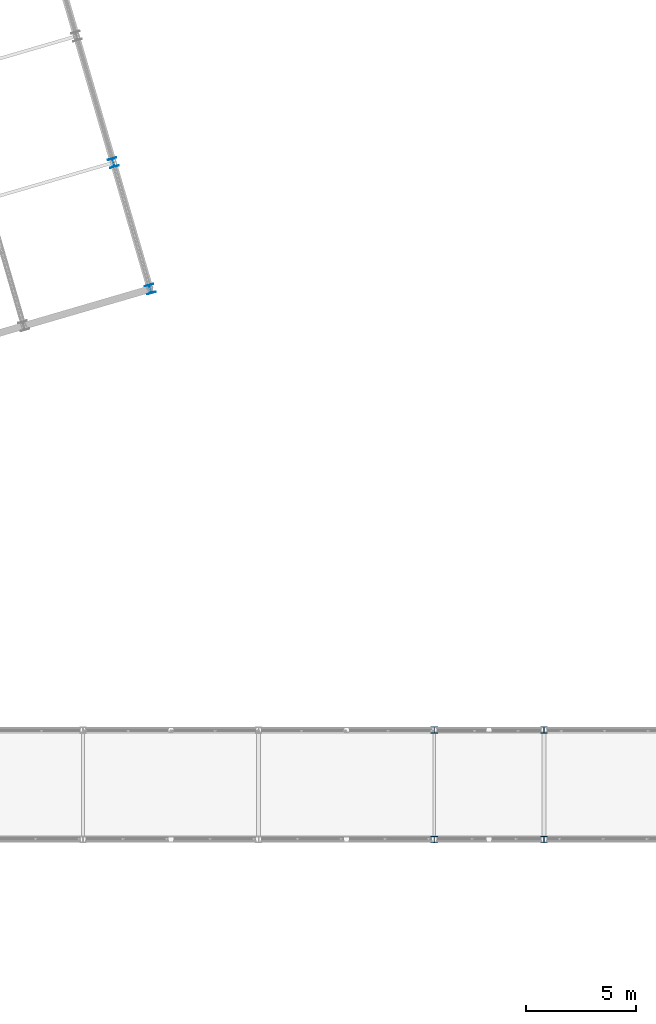
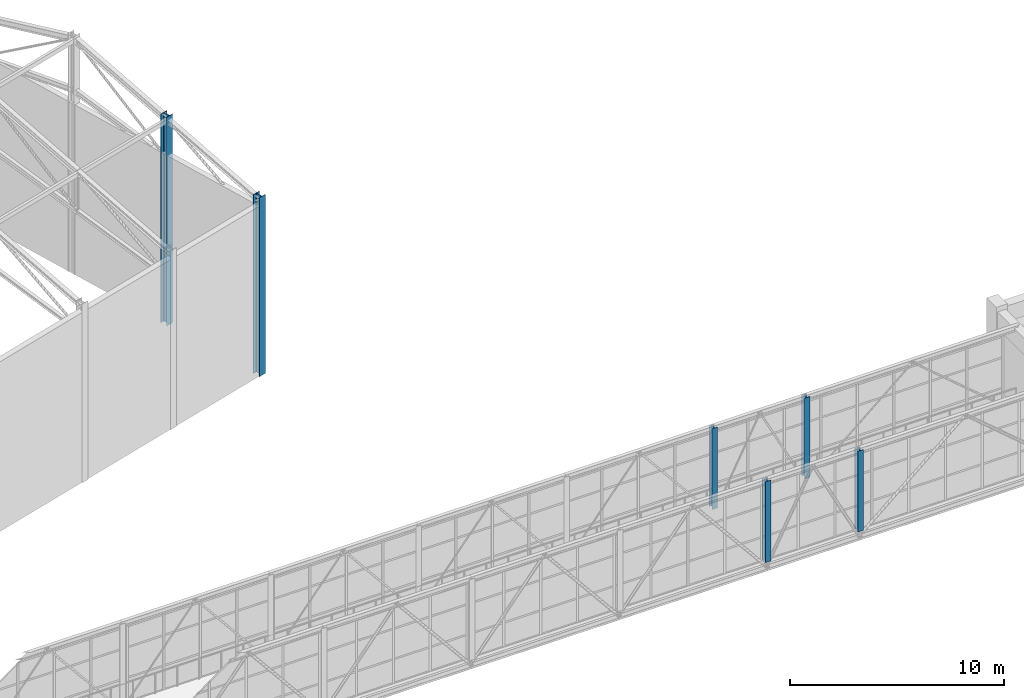
# One storey, part 13 of 248: 6 columns.
"""IFC4 building model written with IfcOpenShell, lengths in metres."""

from ifc_helpers import new_model, si_unit, direction, frame, origin, origin_2d, place, context, subcontext, project, spatial, i_section, extrude, material, material_profile, profile_set, type_object, element, save


model = new_model("IFC4")

# Units and contexts
model_context = context("Model", 3, precision=1e-05, world=origin(), true_north=direction((0.0, 1.0)))
body_context = subcontext(model_context, "Body", "Model", "MODEL_VIEW")
ifc_project = project(units=[si_unit("LENGTHUNIT", "METRE"), si_unit("AREAUNIT", "SQUARE_METRE"), si_unit("VOLUMEUNIT", "CUBIC_METRE"), si_unit("PLANEANGLEUNIT", "RADIAN"), si_unit("MASSUNIT", "GRAM", prefix="KILO")], contexts=[model_context])

# Site, building, storey
site_placement = place(None, origin())
site = spatial("IfcSite", under=ifc_project, at=site_placement, CompositionType="ELEMENT")
building_placement = place(site_placement, origin())
building = spatial("IfcBuilding", under=site, at=building_placement, Name="Canggui Botanical Conservatory", CompositionType="ELEMENT")
storey_placement = place(building_placement, frame((0.0, 0.0, 5.39990234375)))
storey = spatial("IfcBuildingStorey", under=building, at=storey_placement, Name="L02", CompositionType="ELEMENT", Elevation=5.39990234375)

# Columns
ifc_material = material(Name="Steel Q355B", Category="steel")
ifc_material_profile_1 = material_profile(ifc_material, i_section(OverallWidth=0.39990234375, OverallDepth=0.39990234375, WebThickness=0.012939453125, FlangeThickness=0.02099609375, FilletRadius=0.02197265625, at=origin_2d()), Name="HW 400x400x13x21")
ifc_profile_set_1 = profile_set([ifc_material_profile_1], Name="Steel Q355B")
column_type_1 = type_object("IfcColumnType", Name="COL-GZ03", PredefinedType="COLUMN", material=ifc_profile_set_1)
column_1_placement = place(storey_placement, frame((100.56005859375, 100.080078125, 0.0), z_axis=(0.0, 0.0, 1.0), x_axis=(0.960000000041, 0.279999999861, 0.0)))
element("IfcColumn", 1, at=column_1_placement, inside=storey, type_object=column_type_1, Name="Auditorium Upper Column L02-13", PredefinedType="COLUMN", context=body_context, shape_type="SweptSolid", body=[
    extrude(i_section(OverallWidth=0.39990234375, OverallDepth=0.39990234375, WebThickness=0.012939453125, FlangeThickness=0.02099609375, FilletRadius=0.02197265625, at=origin_2d()), origin(), (0.0, 0.0, 1.0), 10.22021484375),
])
column_2_placement = place(storey_placement, frame((98.8798828125, 105.840087890625, 0.0), z_axis=(0.0, 0.0, 1.0), x_axis=(0.960000000041, 0.279999999861, 0.0)))
element("IfcColumn", 2, at=column_2_placement, inside=storey, type_object=column_type_1, Name="Auditorium Upper Column L02-20", PredefinedType="COLUMN", context=body_context, shape_type="SweptSolid", body=[
    extrude(i_section(OverallWidth=0.39990234375, OverallDepth=0.39990234375, WebThickness=0.012939453125, FlangeThickness=0.02099609375, FilletRadius=0.02197265625, at=origin_2d()), origin(), (0.0, 0.0, 1.0), 11.920166015625),
])
ifc_material_profile_2 = material_profile(ifc_material, i_section(OverallWidth=0.300048828125, OverallDepth=0.300048828125, WebThickness=0.010009765625, FlangeThickness=0.014892578125, FilletRadius=0.01806640625, at=origin_2d()), Name="HW 300x300x10x15")
ifc_profile_set_2 = profile_set([ifc_material_profile_2], Name="Steel Q355B")
column_type_2 = type_object("IfcColumnType", Name="COL-GZ05", PredefinedType="COLUMN", material=ifc_profile_set_2)
for number, where, z_axis, x_axis, name in (
    (3, (113.5, 75.0, 0.0), (0.0, 0.0, 1.0), (1.0, 0.0, 0.0), "Skybridge Gallery Steel Column (113.5,75)"),
    (4, (113.5, 80.0, 0.0), (0.0, 0.0, 1.0), (1.0, 0.0, 0.0), "Skybridge Gallery Steel Column (113.5,80)"),
    (5, (118.5, 75.0, 0.0), (0.0, 0.0, 1.0), (1.0, 0.0, 0.0), "Skybridge Gallery Steel Column (118.5,75)"),
    (6, (118.5, 80.0, 0.0), (0.0, 0.0, 1.0), (1.0, 0.0, 0.0), "Skybridge Gallery Steel Column (118.5,80)"),
):
    element("IfcColumn", number, at=place(storey_placement, frame(where, z_axis=z_axis, x_axis=x_axis)), inside=storey, type_object=column_type_2, Name=name, PredefinedType="COLUMN", context=body_context, shape_type="SweptSolid", body=[
        extrude(i_section(OverallWidth=0.300048828125, OverallDepth=0.300048828125, WebThickness=0.010009765625, FlangeThickness=0.014892578125, FilletRadius=0.01806640625, at=origin_2d()), origin(), (0.0, 0.0, 1.0), 4.6201171875),
    ])

save(model, "model.ifc")
